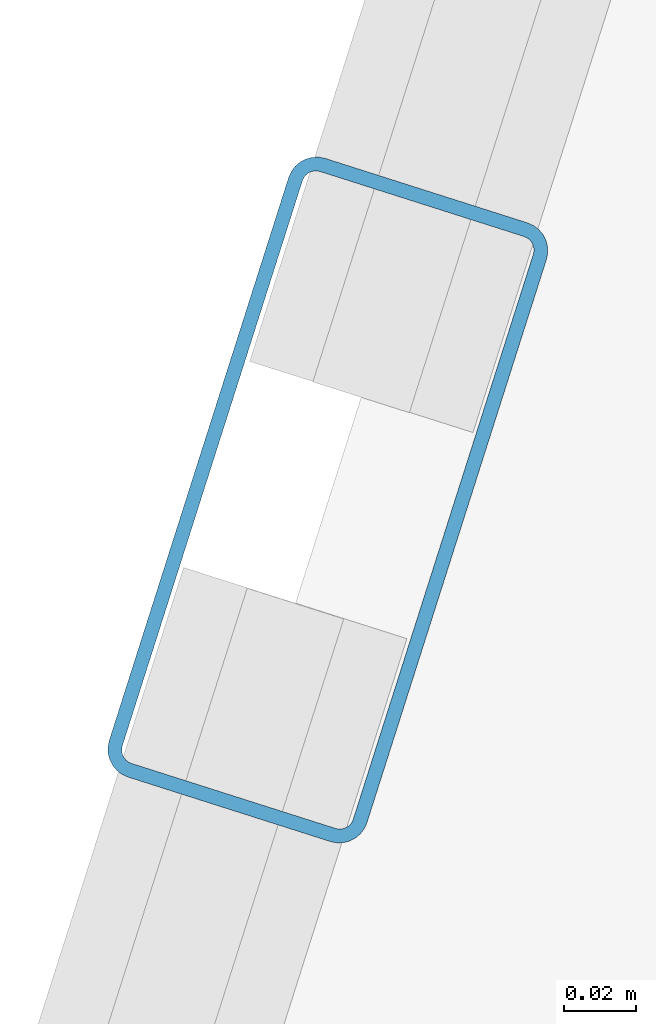
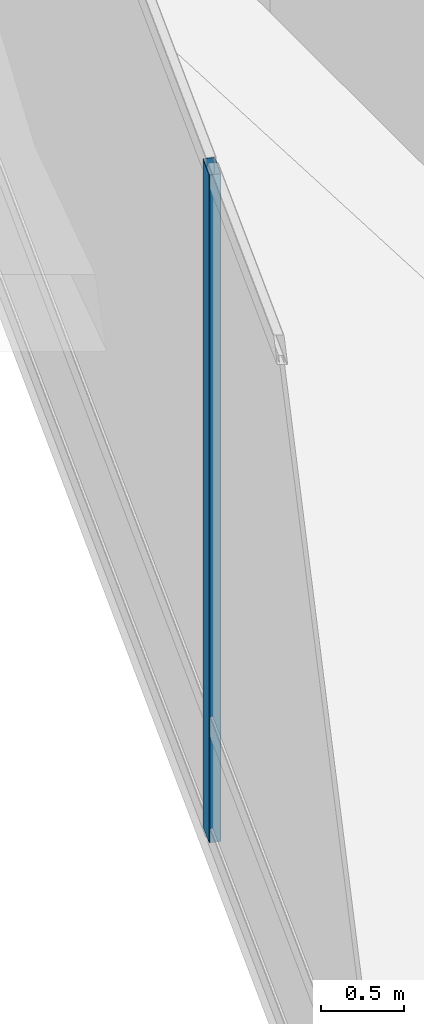
# One storey, part 8 of 19: 1 member, 1 element without a shape of its own.
"""IFC4 building model written with IfcOpenShell, lengths in metres."""

import ifcopenshell
import ifcopenshell.guid

model = None  # the IFC model being written
_history = None  # IfcOwnerHistory: only IFC2X3 demands one
_inside = {}  # id of a spatial element -> (the spatial element, [elements in it])
_under = {}  # id of a project, library or spatial element -> (it, [spatial elements below it])
_declared = {}  # id of a project -> (the project, [libraries it declares])
_typed = {}  # id of a type object -> (the type object, [elements of that type])
_made_of = {}  # id of a material, layer set ... -> (it, [elements and type objects made of it])


def new_model(schema):
    """Start an empty IFC model of exactly this schema.

    Asked for "IFC4X3", IfcOpenShell would pick the latest addendum, in which some entities
    have other attributes; the version numbers below select the first issue.
    IFC2X3 requires an IfcOwnerHistory on every rooted entity: one is made here for all.
    """
    global model, _history
    if schema == "IFC4X3":
        model = ifcopenshell.file(schema_version=(4, 3, 0, 0))
    else:
        model = ifcopenshell.file(schema=schema)
    _inside.clear()
    _under.clear()
    _declared.clear()
    _typed.clear()
    _made_of.clear()
    _history = None
    if model.schema == "IFC2X3":
        org = make("IfcOrganization", Name="unknown")
        user = make(
            "IfcPersonAndOrganization",
            ThePerson=make("IfcPerson", FamilyName="unknown"),
            TheOrganization=org,
        )
        app = make(
            "IfcApplication",
            ApplicationDeveloper=org,
            Version="unknown",
            ApplicationFullName="unknown",
            ApplicationIdentifier="unknown",
        )
        _history = make(
            "IfcOwnerHistory",
            OwningUser=user,
            OwningApplication=app,
            ChangeAction="ADDED",
            CreationDate=0,
        )
    return model


def make(cls, **values):
    """One entity of the class cls with the attributes given. An attribute that is None is left unset."""
    return model.create_entity(
        cls, **{name: value for name, value in values.items() if value is not None}
    )


def rooted(cls, **values):
    """An entity with a GlobalId (a new one), such as an element, a storey or a relation."""
    return make(cls, GlobalId=ifcopenshell.guid.new(), OwnerHistory=_history, **values)


def si_unit(unit_type, name, prefix=None):
    """IfcSIUnit, for example si_unit("LENGTHUNIT", "METRE", prefix="MILLI")."""
    return make("IfcSIUnit", UnitType=unit_type, Prefix=prefix, Name=name)


def assignment(units):
    """IfcUnitAssignment: the units of a project."""
    return None if units is None else make("IfcUnitAssignment", Units=units)


def point(xyz):
    """IfcCartesianPoint."""
    return None if xyz is None else make("IfcCartesianPoint", Coordinates=xyz)


def direction(xyz):
    """IfcDirection."""
    return None if xyz is None else make("IfcDirection", DirectionRatios=xyz)


def frame(location, z_axis=None, x_axis=None):
    """IfcAxis2Placement3D, a coordinate frame: its origin and axes. An axis left out is left unset."""
    return make(
        "IfcAxis2Placement3D",
        Location=point(location),
        Axis=direction(z_axis),
        RefDirection=direction(x_axis),
    )


def frame_2d(location, x_axis=None):
    """IfcAxis2Placement2D, a coordinate frame in the plane: its origin and x axis."""
    return make(
        "IfcAxis2Placement2D", Location=point(location), RefDirection=direction(x_axis)
    )


def origin():
    """The frame at (0, 0, 0) with its axes left unset."""
    return frame((0.0, 0.0, 0.0))


def origin_2d():
    """The frame at (0, 0) in the plane with its x axis left unset."""
    return frame_2d((0.0, 0.0))


def place(relative_to, where):
    """IfcLocalPlacement: puts the frame where relative to a parent placement (None: the world)."""
    return make(
        "IfcLocalPlacement", PlacementRelTo=relative_to, RelativePlacement=where
    )


def context(
    kind, dimensions, precision=None, world=None, true_north=None, identifier=None
):
    """IfcGeometricRepresentationContext, for example the 3D "Model" context."""
    return make(
        "IfcGeometricRepresentationContext",
        ContextIdentifier=identifier,
        ContextType=kind,
        CoordinateSpaceDimension=dimensions,
        Precision=precision,
        WorldCoordinateSystem=world,
        TrueNorth=true_north,
    )


def subcontext(parent, identifier, kind, view, scale=None):
    """IfcGeometricRepresentationSubContext, for example "Body" below "Model"."""
    return make(
        "IfcGeometricRepresentationSubContext",
        ContextIdentifier=identifier,
        ContextType=kind,
        ParentContext=parent,
        TargetScale=scale,
        TargetView=view,
    )


def project(units=None, contexts=None):
    """IfcProject with its units and contexts."""
    return rooted(
        "IfcProject",
        Name="project",
        RepresentationContexts=contexts,
        UnitsInContext=assignment(units),
    )


def spatial(cls, under=None, at=None, **own):
    """A site, building, storey or space (cls), placed at a placement, below another one or the project."""
    s = rooted(cls, ObjectPlacement=at, **own)
    if under is not None:
        _under.setdefault(under.id(), (under, []))[1].append(s)
    return s


def profile(cls, at=None, kind="AREA", **sizes):
    """A parametric profile (cls). Its sizes go by their IFC names, for example OverallWidth=200.0."""
    return make(cls, ProfileType=kind, Position=at, **sizes)


def hollow_rectangle(**sizes):
    """IfcRectangleHollowProfileDef."""
    return profile("IfcRectangleHollowProfileDef", **sizes)


def extrude(swept, where, along, depth):
    """IfcExtrudedAreaSolid: the profile swept, set in the frame where, extruded along a direction by depth."""
    return make(
        "IfcExtrudedAreaSolid",
        SweptArea=swept,
        Position=where,
        ExtrudedDirection=direction(along),
        Depth=depth,
    )


def shape(context_of_items, identifier, shape_type, items):
    """IfcShapeRepresentation: the items that make up one representation, for example the "Body"."""
    return make(
        "IfcShapeRepresentation",
        ContextOfItems=context_of_items,
        RepresentationIdentifier=identifier,
        RepresentationType=shape_type,
        Items=items,
    )


def material(Name=None, Category=None):
    """IfcMaterial."""
    return make("IfcMaterial", Name=Name, Category=Category)


def layer(
    of_material, thickness, ventilated=None, Name=None, Category=None, Priority=None
):
    """IfcMaterialLayer: one layer of a wall or slab, of a material (None: an air gap)."""
    return make(
        "IfcMaterialLayer",
        Material=of_material,
        LayerThickness=thickness,
        IsVentilated=ventilated,
        Name=Name,
        Category=Category,
        Priority=Priority,
    )


def layer_set(layers, Name=None):
    """IfcMaterialLayerSet."""
    return make("IfcMaterialLayerSet", MaterialLayers=layers, LayerSetName=Name)


def material_profile(
    of_material, cross_section, Name=None, Category=None, Priority=None
):
    """IfcMaterialProfile: a cross section and its material."""
    return make(
        "IfcMaterialProfile",
        Name=Name,
        Material=of_material,
        Profile=cross_section,
        Priority=Priority,
        Category=Category,
    )


def profile_set(profiles, Name=None, composite=None):
    """IfcMaterialProfileSet."""
    return make(
        "IfcMaterialProfileSet",
        Name=Name,
        MaterialProfiles=profiles,
        CompositeProfile=composite,
    )


def made_of(thing, what):
    """Note that an element or type object is made of a material, layer set ...; save() writes the relation."""
    if what is not None:
        _made_of.setdefault(what.id(), (what, []))[1].append(thing)
    return thing


def type_object(cls, material=None, **own):
    """A type object (cls), such as IfcWallType, which elements share."""
    return made_of(rooted(cls, **own), material)


def element(
    cls,
    number,
    at=None,
    inside=None,
    cuts=None,
    type_object=None,
    material=None,
    context=None,
    identifier="Body",
    shape_type=None,
    held_by="IfcProductDefinitionShape",
    body=None,
    shapes=None,
    **own,
):
    """One element of the class cls, such as IfcWall. Its Tag is "e" and its number.

    at: its placement. inside: the storey or other place that contains it. cuts: it is an
    opening in that element (IfcRelVoidsElement). A single representation is given by context,
    identifier, shape_type and body (its items); several are given by shapes. held_by: the class
    of the entity that holds the representations. save() writes the other relations.
    """
    e = rooted(cls, Tag="e%d" % number, ObjectPlacement=at, **own)
    if body is not None:
        shapes = [shape(context, identifier, shape_type, body)]
    if shapes is not None:
        e.Representation = make(held_by, Representations=shapes)
    if inside is not None:
        _inside.setdefault(inside.id(), (inside, []))[1].append(e)
    if cuts is not None:
        rooted(
            "IfcRelVoidsElement", RelatingBuildingElement=cuts, RelatedOpeningElement=e
        )
    if type_object is not None:
        _typed.setdefault(type_object.id(), (type_object, []))[1].append(e)
    return made_of(e, material)


def aggregate(whole, parts):
    """IfcRelAggregates: a whole, such as a stair, and the parts it consists of."""
    return rooted("IfcRelAggregates", RelatingObject=whole, RelatedObjects=parts)


def save(model, path):
    """Write the relations noted so far, then the file.

    IfcRelAggregates (storeys below a building ...), IfcRelContainedInSpatialStructure (elements
    in a storey), IfcRelDefinesByType, IfcRelAssociatesMaterial and IfcRelDeclares: one each for
    every whole, place, type object, material and project.
    """
    for whole, parts in _under.values():
        aggregate(whole, parts)
    for where, things in _inside.values():
        rooted(
            "IfcRelContainedInSpatialStructure",
            RelatedElements=things,
            RelatingStructure=where,
        )
    for kind, things in _typed.values():
        rooted("IfcRelDefinesByType", RelatedObjects=things, RelatingType=kind)
    for what, things in _made_of.values():
        rooted("IfcRelAssociatesMaterial", RelatedObjects=things, RelatingMaterial=what)
    for by, libraries in _declared.values():
        rooted("IfcRelDeclares", RelatingContext=by, RelatedDefinitions=libraries)
    model.write(path)


model = new_model("IFC4")

# Units and contexts
model_context = context("Model", 3, precision=1e-05, world=origin(), true_north=direction((0.0, 1.0)))
body_context = subcontext(model_context, "Body", "Model", "MODEL_VIEW")
ifc_project = project(units=[si_unit("LENGTHUNIT", "METRE"), si_unit("AREAUNIT", "SQUARE_METRE"), si_unit("VOLUMEUNIT", "CUBIC_METRE"), si_unit("PLANEANGLEUNIT", "RADIAN"), si_unit("MASSUNIT", "GRAM", prefix="KILO")], contexts=[model_context])

# Site, building, storey
site_placement = place(None, origin())
site = spatial("IfcSite", under=ifc_project, at=site_placement, CompositionType="ELEMENT")
building_placement = place(site_placement, origin())
building = spatial("IfcBuilding", under=site, at=building_placement, Name="Solvaryn Broadcast Tower", CompositionType="ELEMENT")
storey_placement = place(building_placement, frame((0.0, 0.0, 302.60009765625)))
storey = spatial("IfcBuildingStorey", under=building, at=storey_placement, Name="L76", CompositionType="ELEMENT", Elevation=302.60009765625)

# Curtain wall, member
ifc_material_1 = material(Name="Aluminium and Terracotta Unitised Curtain Wall", Category="masonry")
ifc_layer = layer(ifc_material_1, 0.260009765625)
ifc_layer_set = layer_set([ifc_layer], Name="CW-SYS5-DAMPER")
curtain_wall_type = type_object("IfcCurtainWallType", Name="CW-SYS5-DAMPER", PredefinedType="NOTDEFINED", material=ifc_layer_set)
curtain_wall_placement = place(storey_placement, origin())
curtain_wall = element("IfcCurtainWall", 1, at=curtain_wall_placement, inside=storey, type_object=curtain_wall_type, Name="L76 Curtain Wall DR1", PredefinedType="NOTDEFINED")
ifc_material_2 = material(Name="Anodised Aluminium 6063-T6", Category="aluminium")
ifc_material_profile = material_profile(ifc_material_2, hollow_rectangle(XDim=0.074951171875, YDim=0.179931640625, WallThickness=0.00390625, InnerFilletRadius=0.00390625, OuterFilletRadius=0.008056640625, at=origin_2d()))
ifc_profile_set = profile_set([ifc_material_profile], Name="Anodised Aluminium 6063-T6")
member_type = type_object("IfcMemberType", Name="CW-MUL-180", PredefinedType="MULLION", material=ifc_profile_set)
member_placement = place(storey_placement, frame((6.368896484375, 34.892578125, 0.0), z_axis=(0.0, 0.0, 1.0), x_axis=(0.952794594701, -0.30361564569, 0.0)))
member = element("IfcMember", 2, at=member_placement, type_object=member_type, Name="CWS5 mullion 2", PredefinedType="MULLION", context=body_context, shape_type="SweptSolid", body=[
    extrude(hollow_rectangle(XDim=0.074951171875, YDim=0.179931640625, WallThickness=0.00390625, InnerFilletRadius=0.00390625, OuterFilletRadius=0.008056640625, at=origin_2d()), origin(), (0.0, 0.0, 1.0), 4.89990234375),
])
aggregate(curtain_wall, [member])

save(model, "model.ifc")
